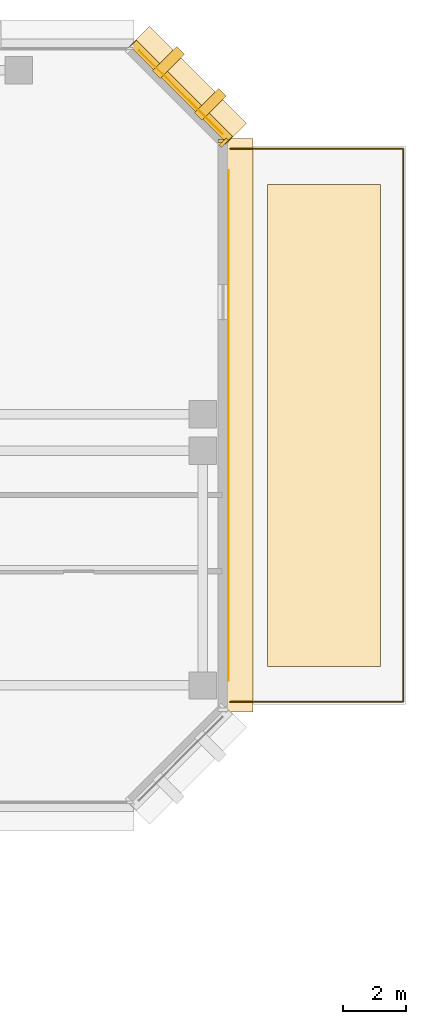
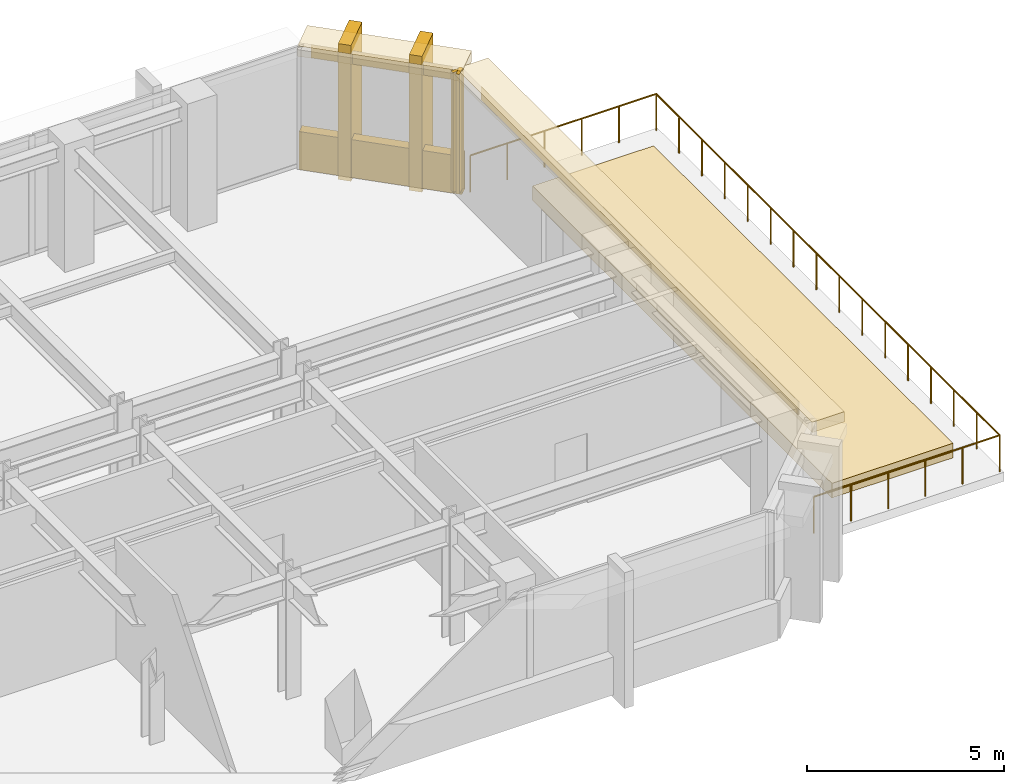
# One storey, part 12 of 12: 10 coverings, 1 railing.
"""IFC4 building model written with IfcOpenShell, lengths in metres."""

from ifc_helpers import new_model, si_unit, direction, frame, origin, origin_2d, place, context, subcontext, project, spatial, polyline, rectangle, circle, outline, extrude, material, layer, layer_set, type_object, element, save


model = new_model("IFC4")

# Units and contexts
model_context = context("Model", 3, precision=1e-05, world=origin(), true_north=direction((0.0, 1.0)))
body_context = subcontext(model_context, "Body", "Model", "MODEL_VIEW")
ifc_project = project(units=[si_unit("LENGTHUNIT", "METRE"), si_unit("AREAUNIT", "SQUARE_METRE"), si_unit("VOLUMEUNIT", "CUBIC_METRE"), si_unit("PLANEANGLEUNIT", "RADIAN"), si_unit("MASSUNIT", "GRAM", prefix="KILO")], contexts=[model_context])

# Site, building, storey
site_placement = place(None, origin())
site = spatial("IfcSite", under=ifc_project, at=site_placement, CompositionType="ELEMENT")
building_placement = place(site_placement, origin())
building = spatial("IfcBuilding", under=site, at=building_placement, Name="Kefirva Bronze Tower", CompositionType="ELEMENT")
storey_placement = place(building_placement, frame((0.0, 0.0, 110.550048828125)))
storey = spatial("IfcBuildingStorey", under=building, at=storey_placement, Name="L26", CompositionType="ELEMENT", Elevation=110.550048828125)

# Coverings
ifc_material_1 = material(Name="Bronze anodised aluminium", Category="aluminium")
ifc_layer_1 = layer(ifc_material_1, 0.02001953125, Name="Bronze anodised aluminium")
ifc_layer_set_1 = layer_set([ifc_layer_1], Name="Bronze anodised aluminium")
covering_type_1 = type_object("IfcCoveringType", Name="Anodised Bronze Spandrel Cladding 20mm", PredefinedType="CLADDING", material=ifc_layer_set_1)
covering_1_placement = place(storey_placement, frame((50.2099609375, 34.0, 3.2900390625), z_axis=(0.0, 0.0, 1.0), x_axis=(0.0, 1.0, 0.0)))
element("IfcCovering", 1, at=covering_1_placement, inside=storey, type_object=covering_type_1, Name="L26 Bronze Spandrel Cladding 4", PredefinedType="CLADDING", context=body_context, shape_type="SweptSolid", body=[
    extrude(rectangle(XDim=16.10107421875, YDim=0.02001953125, at=origin_2d()), origin(), (0.0, 0.0, 1.0), 0.39990234375),
])
covering_2_placement = place(storey_placement, frame((50.0400390625, 42.965087890625, 0.0), z_axis=(0.0, 0.0, 1.0), x_axis=(0.0, 1.0, 0.0)))
element("IfcCovering", 2, at=covering_2_placement, inside=storey, type_object=covering_type_1, Name="L26 Facade Joint Closure Panel 4E", PredefinedType="CLADDING", context=body_context, shape_type="SweptSolid", body=[
    extrude(rectangle(XDim=0.10009765625, YDim=0.320068359375, at=origin_2d()), origin(), (0.0, 0.0, 1.0), 3.7099609375),
])
covering_3_placement = place(storey_placement, frame((48.70703125, 44.507080078125, 3.2900390625), z_axis=(0.0, 0.0, 1.0), x_axis=(-0.707106781187, 0.707106781187, 0.0)))
element("IfcCovering", 3, at=covering_3_placement, inside=storey, type_object=covering_type_1, Name="L26 Bronze Spandrel Cladding 5", PredefinedType="CLADDING", context=body_context, shape_type="SweptSolid", body=[
    extrude(rectangle(XDim=3.719482421875, YDim=0.02001953125, at=origin_2d()), origin(), (0.0, 0.0, 1.0), 0.39990234375),
])
covering_4_placement = place(storey_placement, frame((50.06201171875, 42.91162109375, 0.0), z_axis=(0.0, 0.0, 1.0), x_axis=(-0.707106781187, 0.707106781187, 0.0)))
element("IfcCovering", 4, at=covering_4_placement, inside=storey, type_object=covering_type_1, Name="L26 Facade Joint Closure Panel 5S", PredefinedType="CLADDING", context=body_context, shape_type="SweptSolid", body=[
    extrude(rectangle(XDim=0.10009765625, YDim=0.320068359375, at=origin_2d()), origin(), (0.0, 0.0, 1.0), 3.7099609375),
])
covering_5_placement = place(storey_placement, frame((48.728271484375, 44.5283203125, -0.16015625), z_axis=(0.0, 0.0, 1.0), x_axis=(-0.707106781187, 0.707106781187, 0.0)))
element("IfcCovering", 5, at=covering_5_placement, inside=storey, type_object=covering_type_1, Name="L26 Streamline Horizontal Spandrel Band 7", PredefinedType="CLADDING", context=body_context, shape_type="SweptSolid", body=[
    extrude(rectangle(XDim=4.28271484375, YDim=0.280029296875, at=origin_2d()), origin(), (0.0, 0.0, 1.0), 1.179931640625),
])

# Railing
railing_type = type_object("IfcRailingType", Name="Exterior Ship-Deck Terrace Guardrail 1150mm", PredefinedType="GUARDRAIL", material=ifc_material_1)
railing_placement = place(storey_placement, frame((50.27001953125, 25.280029296875, 0.0)))
element("IfcRailing", 6, at=railing_placement, inside=storey, type_object=railing_type, Name="L26 Terrace Perimeter Guardrail", PredefinedType="GUARDRAIL", context=body_context, shape_type="SweptSolid", body=[
    extrude(circle(Radius=0.02392578125, at=origin_2d()), frame((0.0, 0.0, 1.1259765625), z_axis=(1.0, 0.0, 0.0), x_axis=(0.0, 1.0, 0.0)), (0.0, 0.0, 1.0), 5.449951171875),
    extrude(circle(Radius=0.02392578125, at=origin_2d()), frame((5.449951171875, 0.0, 1.1259765625), z_axis=(0.0, 1.0, 0.0), x_axis=(-1.0, 0.0, 0.0)), (0.0, 0.0, 1.0), 17.43994140625),
    extrude(circle(Radius=0.02392578125, at=origin_2d()), frame((5.449951171875, 17.43994140625, 1.1259765625), z_axis=(-1.0, 0.0, 0.0), x_axis=(0.0, -1.0, 0.0)), (0.0, 0.0, 1.0), 5.449951171875),
    extrude(circle(Radius=0.02099609375, at=origin_2d()), origin(), (0.0, 0.0, 1.0), 1.101806640625),
    extrude(circle(Radius=0.02099609375, at=origin_2d()), frame((1.090087890625, 0.0, 0.0)), (0.0, 0.0, 1.0), 1.101806640625),
    extrude(circle(Radius=0.02099609375, at=origin_2d()), frame((2.179931640625, 0.0, 0.0)), (0.0, 0.0, 1.0), 1.101806640625),
    extrude(circle(Radius=0.02099609375, at=origin_2d()), frame((3.27001953125, 0.0, 0.0)), (0.0, 0.0, 1.0), 1.101806640625),
    extrude(circle(Radius=0.02099609375, at=origin_2d()), frame((4.35986328125, 0.0, 0.0)), (0.0, 0.0, 1.0), 1.101806640625),
    extrude(circle(Radius=0.02099609375, at=origin_2d()), frame((5.449951171875, 0.0, 0.0)), (0.0, 0.0, 1.0), 1.101806640625),
    extrude(circle(Radius=0.02099609375, at=origin_2d()), frame((5.449951171875, 1.16259765625, 0.0)), (0.0, 0.0, 1.0), 1.101806640625),
    extrude(circle(Radius=0.02099609375, at=origin_2d()), frame((5.449951171875, 2.325439453125, 0.0)), (0.0, 0.0, 1.0), 1.101806640625),
    extrude(circle(Radius=0.02099609375, at=origin_2d()), frame((5.449951171875, 3.488037109375, 0.0)), (0.0, 0.0, 1.0), 1.101806640625),
    extrude(circle(Radius=0.02099609375, at=origin_2d()), frame((5.449951171875, 4.650634765625, 0.0)), (0.0, 0.0, 1.0), 1.101806640625),
    extrude(circle(Radius=0.02099609375, at=origin_2d()), frame((5.449951171875, 5.813232421875, 0.0)), (0.0, 0.0, 1.0), 1.101806640625),
    extrude(circle(Radius=0.02099609375, at=origin_2d()), frame((5.449951171875, 6.97607421875, 0.0)), (0.0, 0.0, 1.0), 1.101806640625),
    extrude(circle(Radius=0.02099609375, at=origin_2d()), frame((5.449951171875, 8.138671875, 0.0)), (0.0, 0.0, 1.0), 1.101806640625),
    extrude(circle(Radius=0.02099609375, at=origin_2d()), frame((5.449951171875, 9.30126953125, 0.0)), (0.0, 0.0, 1.0), 1.101806640625),
    extrude(circle(Radius=0.02099609375, at=origin_2d()), frame((5.449951171875, 10.4638671875, 0.0)), (0.0, 0.0, 1.0), 1.101806640625),
    extrude(circle(Radius=0.02099609375, at=origin_2d()), frame((5.449951171875, 11.626708984375, 0.0)), (0.0, 0.0, 1.0), 1.101806640625),
    extrude(circle(Radius=0.02099609375, at=origin_2d()), frame((5.449951171875, 12.789306640625, 0.0)), (0.0, 0.0, 1.0), 1.101806640625),
    extrude(circle(Radius=0.02099609375, at=origin_2d()), frame((5.449951171875, 13.951904296875, 0.0)), (0.0, 0.0, 1.0), 1.101806640625),
    extrude(circle(Radius=0.02099609375, at=origin_2d()), frame((5.449951171875, 15.114501953125, 0.0)), (0.0, 0.0, 1.0), 1.101806640625),
    extrude(circle(Radius=0.02099609375, at=origin_2d()), frame((5.449951171875, 16.27734375, 0.0)), (0.0, 0.0, 1.0), 1.101806640625),
    extrude(circle(Radius=0.02099609375, at=origin_2d()), frame((5.449951171875, 17.43994140625, 0.0)), (0.0, 0.0, 1.0), 1.101806640625),
    extrude(circle(Radius=0.02099609375, at=origin_2d()), frame((4.35986328125, 17.43994140625, 0.0)), (0.0, 0.0, 1.0), 1.101806640625),
    extrude(circle(Radius=0.02099609375, at=origin_2d()), frame((3.27001953125, 17.43994140625, 0.0)), (0.0, 0.0, 1.0), 1.101806640625),
    extrude(circle(Radius=0.02099609375, at=origin_2d()), frame((2.179931640625, 17.43994140625, 0.0)), (0.0, 0.0, 1.0), 1.101806640625),
    extrude(circle(Radius=0.02099609375, at=origin_2d()), frame((1.090087890625, 17.43994140625, 0.0)), (0.0, 0.0, 1.0), 1.101806640625),
    extrude(circle(Radius=0.02099609375, at=origin_2d()), frame((0.0, 17.43994140625, 0.0)), (0.0, 0.0, 1.0), 1.101806640625),
])

# Coverings
ifc_material_2 = material(Name="Planted sky-garden soil substrate")
ifc_layer_2 = layer(ifc_material_2, 0.449951171875, Name="Planted sky-garden soil substrate")
ifc_layer_set_2 = layer_set([ifc_layer_2], Name="Planted sky-garden soil substrate")
covering_type_2 = type_object("IfcCoveringType", Name="Sky-Garden Planted Substrate Bed 450mm", PredefinedType="USERDEFINED", material=ifc_layer_set_2)
covering_6_placement = place(storey_placement, origin())
element("IfcCovering", 7, at=covering_6_placement, inside=storey, type_object=covering_type_2, Name="L26 Sky-Garden Planter Bed", ObjectType="PLANTER", PredefinedType="USERDEFINED", context=body_context, shape_type="SweptSolid", body=[
    extrude(outline(polyline([(51.449951171875, 26.39990234375), (55.0, 26.39990234375), (55.0, 41.60009765625), (51.449951171875, 41.60009765625), (51.449951171875, 26.39990234375)])), origin(), (0.0, 0.0, 1.0), 0.449951171875),
])
ifc_layer_3 = layer(ifc_material_1, 0.179931640625, Name="Bronze anodised aluminium")
ifc_layer_set_3 = layer_set([ifc_layer_3], Name="Bronze anodised aluminium")
covering_type_3 = type_object("IfcCoveringType", Name="Streamline Bronze Sunshade Eyebrow Cladding 180mm", PredefinedType="CLADDING", material=ifc_layer_set_3)
covering_7_placement = place(storey_placement, frame((50.510009765625, 34.0, 3.39013671875), z_axis=(0.0, 0.0, 1.0), x_axis=(0.0, 1.0, 0.0)))
element("IfcCovering", 8, at=covering_7_placement, inside=storey, type_object=covering_type_3, Name="L26 Streamline Bronze Sunshade Eyebrow 6", PredefinedType="CLADDING", context=body_context, shape_type="SweptSolid", body=[
    extrude(rectangle(XDim=18.080078125, YDim=0.93994140625, at=origin_2d()), origin(), (0.0, 0.0, 1.0), 0.320068359375),
])
covering_8_placement = place(storey_placement, frame((48.919189453125, 44.71923828125, 3.39013671875), z_axis=(0.0, 0.0, 1.0), x_axis=(-0.707106781187, 0.707106781187, 0.0)))
element("IfcCovering", 9, at=covering_8_placement, inside=storey, type_object=covering_type_3, Name="L26 Streamline Bronze Sunshade Eyebrow 7", PredefinedType="CLADDING", context=body_context, shape_type="SweptSolid", body=[
    extrude(rectangle(XDim=4.322509765625, YDim=0.93994140625, at=origin_2d()), origin(), (0.0, 0.0, 1.0), 0.320068359375),
])
ifc_layer_4 = layer(ifc_material_1, 0.260009765625, Name="Bronze anodised aluminium")
ifc_layer_set_4 = layer_set([ifc_layer_4], Name="Bronze anodised aluminium")
covering_type_4 = type_object("IfcCoveringType", Name="Unbroken Bronze Buttress Fin Cladding 260mm", PredefinedType="CLADDING", material=ifc_layer_set_4)
for number, where, z_axis, x_axis, name in (
    (10, (49.642822265625, 44.122802734375, -0.25), (0.0, 0.0, 1.0), (-0.707106781187, 0.707106781187, 0.0), "L26 Chamfered Corner Buttress Fin Cladding 13"),
    (11, (48.32275390625, 45.44287109375, -0.25), (0.0, 0.0, 1.0), (-0.707106781187, 0.707106781187, 0.0), "L26 Chamfered Corner Buttress Fin Cladding 14"),
):
    element("IfcCovering", number, at=place(storey_placement, frame(where, z_axis=z_axis, x_axis=x_axis)), inside=storey, type_object=covering_type_4, Name=name, PredefinedType="CLADDING", context=body_context, shape_type="SweptSolid", body=[
        extrude(rectangle(XDim=0.340087890625, YDim=1.080078125, at=origin_2d()), origin(), (0.0, 0.0, 1.0), 4.2099609375),
    ])

save(model, "model.ifc")
